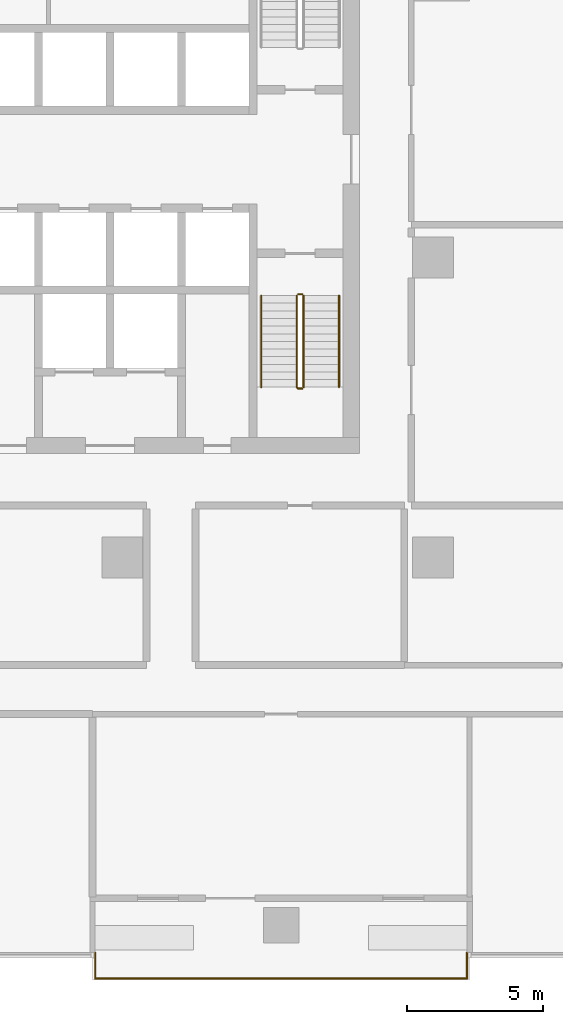
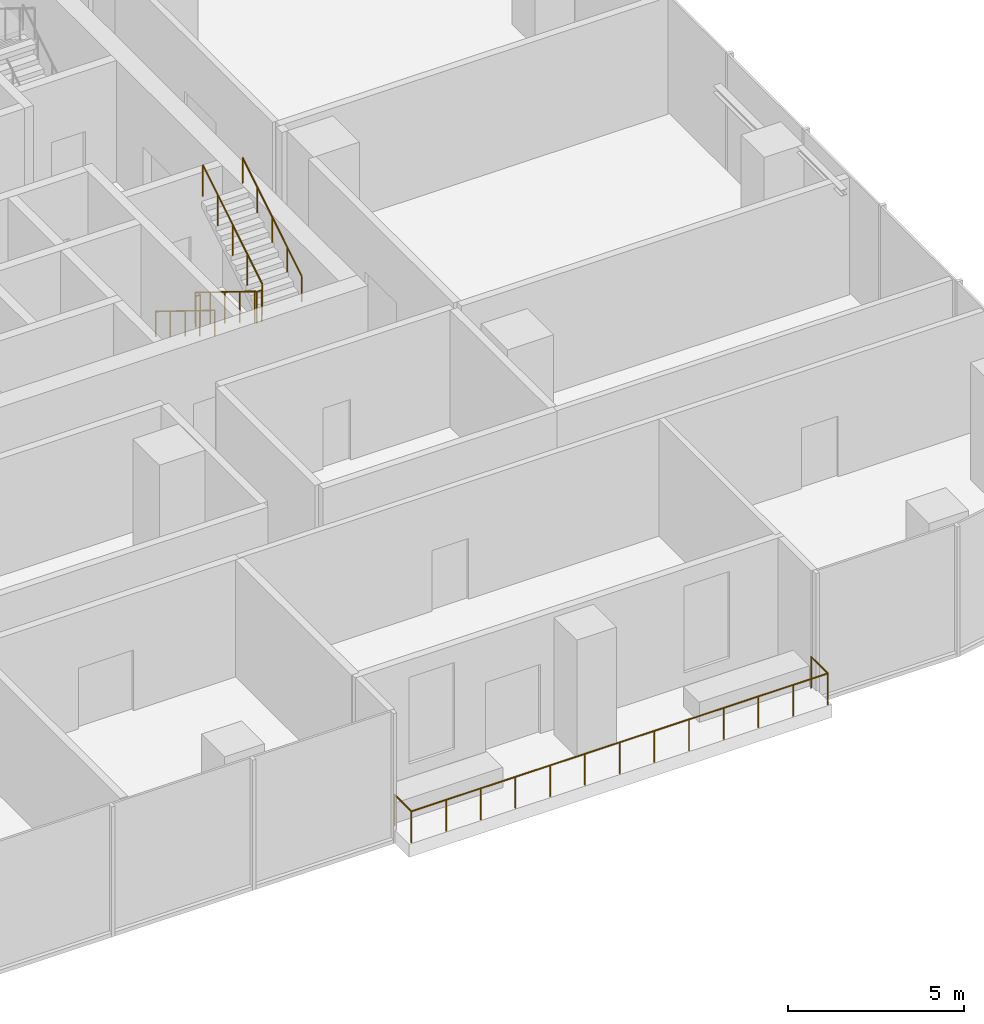
# One storey, part 13 of 15: 6 railings.
"""IFC4 building model written with IfcOpenShell, lengths in metres."""

from ifc_helpers import new_model, si_unit, direction, frame, origin, origin_2d, place, context, subcontext, project, spatial, circle, extrude, material, type_object, element, save


model = new_model("IFC4")

# Units and contexts
model_context = context("Model", 3, precision=1e-05, world=origin(), true_north=direction((0.0, 1.0)))
body_context = subcontext(model_context, "Body", "Model", "MODEL_VIEW")
ifc_project = project(units=[si_unit("LENGTHUNIT", "METRE"), si_unit("AREAUNIT", "SQUARE_METRE"), si_unit("VOLUMEUNIT", "CUBIC_METRE"), si_unit("PLANEANGLEUNIT", "RADIAN"), si_unit("MASSUNIT", "GRAM", prefix="KILO")], contexts=[model_context])

# Site, building, storey
site_placement = place(None, origin())
site = spatial("IfcSite", under=ifc_project, at=site_placement, CompositionType="ELEMENT")
building_placement = place(site_placement, origin())
building = spatial("IfcBuilding", under=site, at=building_placement, Name="Mopane Tessera Tower", CompositionType="ELEMENT")
storey_placement = place(building_placement, frame((0.0, 0.0, 117.10009765625)))
storey = spatial("IfcBuildingStorey", under=building, at=storey_placement, Name="L23", CompositionType="ELEMENT", Elevation=117.10009765625)

# Railings
ifc_material_1 = material(Name="Powder-coated steel balustrade", Category="steel")
railing_type_1 = type_object("IfcRailingType", Name="Escape stair guard 1100 mm", PredefinedType="GUARDRAIL", material=ifc_material_1)
railing_1_placement = place(storey_placement, frame((12.10009765625, -1.39990234375, 0.173095703125)))
element("IfcRailing", 1, at=railing_1_placement, inside=storey, type_object=railing_type_1, Name="L23 ST3 stair guard 1", PredefinedType="GUARDRAIL", context=body_context, shape_type="SweptSolid", body=[
    extrude(circle(Radius=0.02392578125, at=origin_2d()), frame((0.0, 0.0, 1.076171875), z_axis=(0.0, -0.850623216509, 0.525775754039), x_axis=(1.0, 0.0, 0.0)), (0.0, 0.0, 1.0), 3.9501953125),
    extrude(circle(Radius=0.02392578125, at=origin_2d()), frame((0.0, -3.360107421875, 3.15283203125), z_axis=(0.705375805398, -0.708833529934, 0.0), x_axis=(0.708833529934, 0.705375805398, 0.0)), (0.0, 0.0, 1.0), 0.070556640625),
    extrude(circle(Radius=0.02392578125, at=origin_2d()), frame((0.0498046875, -3.41015625, 3.15283203125), z_axis=(1.0, 0.0, 0.0), x_axis=(0.0, 1.0, 0.0)), (0.0, 0.0, 1.0), 0.150146484375),
    extrude(circle(Radius=0.02099609375, at=origin_2d()), origin(), (0.0, 0.0, 1.0), 1.052001953125),
    extrude(circle(Radius=0.02099609375, at=origin_2d()), frame((0.0, -0.840087890625, 0.519287109375)), (0.0, 0.0, 1.0), 1.052001953125),
    extrude(circle(Radius=0.02099609375, at=origin_2d()), frame((0.0, -1.68017578125, 1.03857421875)), (0.0, 0.0, 1.0), 1.052001953125),
    extrude(circle(Radius=0.02099609375, at=origin_2d()), frame((0.0, -2.52001953125, 1.5576171875)), (0.0, 0.0, 1.0), 1.052001953125),
    extrude(circle(Radius=0.02099609375, at=origin_2d()), frame((0.0, -3.360107421875, 2.076904296875)), (0.0, 0.0, 1.0), 1.052001953125),
    extrude(circle(Radius=0.02099609375, at=origin_2d()), frame((0.0498046875, -3.41015625, 2.076904296875)), (0.0, 0.0, 1.0), 1.052001953125),
    extrude(circle(Radius=0.02099609375, at=origin_2d()), frame((0.199951171875, -3.41015625, 2.076904296875)), (0.0, 0.0, 1.0), 1.052001953125),
])
railing_2_placement = place(storey_placement, frame((12.35009765625, -4.760009765625, 2.423095703125)))
element("IfcRailing", 2, at=railing_2_placement, inside=storey, type_object=railing_type_1, Name="L23 ST3 stair guard 2", PredefinedType="GUARDRAIL", context=body_context, shape_type="SweptSolid", body=[
    extrude(circle(Radius=0.02392578125, at=origin_2d()), frame((0.0, 0.0, 1.076171875), z_axis=(0.0, 0.850623216509, 0.525775754039), x_axis=(-1.0, 0.0, 0.0)), (0.0, 0.0, 1.0), 3.9501953125),
    extrude(circle(Radius=0.02099609375, at=origin_2d()), origin(), (0.0, 0.0, 1.0), 1.052001953125),
    extrude(circle(Radius=0.02099609375, at=origin_2d()), frame((0.0, 0.840087890625, 0.519287109375)), (0.0, 0.0, 1.0), 1.052001953125),
    extrude(circle(Radius=0.02099609375, at=origin_2d()), frame((0.0, 1.68017578125, 1.03857421875)), (0.0, 0.0, 1.0), 1.052001953125),
    extrude(circle(Radius=0.02099609375, at=origin_2d()), frame((0.0, 2.52001953125, 1.5576171875)), (0.0, 0.0, 1.0), 1.052001953125),
    extrude(circle(Radius=0.02099609375, at=origin_2d()), frame((0.0, 3.360107421875, 2.076904296875)), (0.0, 0.0, 1.0), 1.052001953125),
])
railing_3_placement = place(storey_placement, frame((12.14990234375, -1.35009765625, 0.0)))
element("IfcRailing", 3, at=railing_3_placement, inside=storey, type_object=railing_type_1, Name="L23 ST3 stair guard 3", PredefinedType="GUARDRAIL", context=body_context, shape_type="SweptSolid", body=[
    extrude(circle(Radius=0.02392578125, at=origin_2d()), frame((0.0, 0.0, 1.076171875), z_axis=(1.0, 0.0, 0.0), x_axis=(0.0, 1.0, 0.0)), (0.0, 0.0, 1.0), 0.150146484375),
    extrude(circle(Radius=0.02099609375, at=origin_2d()), origin(), (0.0, 0.0, 1.0), 1.052001953125),
    extrude(circle(Radius=0.02099609375, at=origin_2d()), frame((0.150146484375, 0.0, 0.0)), (0.0, 0.0, 1.0), 1.052001953125),
])
ifc_material_2 = material(Name="Powder-coated steel balustrade", Category="steel")
railing_type_2 = type_object("IfcRailingType", Name="Escape stair handrail 900 mm", PredefinedType="HANDRAIL", material=ifc_material_2)
railing_4_placement = place(storey_placement, frame((10.800048828125, -1.39990234375, 0.173095703125)))
element("IfcRailing", 4, at=railing_4_placement, inside=storey, type_object=railing_type_2, Name="L23 ST3 stair handrail 1", PredefinedType="HANDRAIL", context=body_context, shape_type="SweptSolid", body=[
    extrude(circle(Radius=0.02392578125, at=origin_2d()), frame((0.0, 0.0, 0.8759765625), z_axis=(0.0, -0.850623216509, 0.525775754039), x_axis=(1.0, 0.0, 0.0)), (0.0, 0.0, 1.0), 3.9501953125),
    extrude(circle(Radius=0.02099609375, at=origin_2d()), origin(), (0.0, 0.0, 1.0), 0.851806640625),
    extrude(circle(Radius=0.02099609375, at=origin_2d()), frame((0.0, -0.840087890625, 0.519287109375)), (0.0, 0.0, 1.0), 0.851806640625),
    extrude(circle(Radius=0.02099609375, at=origin_2d()), frame((0.0, -1.68017578125, 1.03857421875)), (0.0, 0.0, 1.0), 0.851806640625),
    extrude(circle(Radius=0.02099609375, at=origin_2d()), frame((0.0, -2.52001953125, 1.5576171875)), (0.0, 0.0, 1.0), 0.851806640625),
    extrude(circle(Radius=0.02099609375, at=origin_2d()), frame((0.0, -3.360107421875, 2.076904296875)), (0.0, 0.0, 1.0), 0.851806640625),
])
railing_5_placement = place(storey_placement, frame((13.64990234375, -4.760009765625, 2.423095703125)))
element("IfcRailing", 5, at=railing_5_placement, inside=storey, type_object=railing_type_2, Name="L23 ST3 stair handrail 2", PredefinedType="HANDRAIL", context=body_context, shape_type="SweptSolid", body=[
    extrude(circle(Radius=0.02392578125, at=origin_2d()), frame((0.0, 0.0, 0.8759765625), z_axis=(0.0, 0.850623216509, 0.525775754039), x_axis=(-1.0, 0.0, 0.0)), (0.0, 0.0, 1.0), 3.9501953125),
    extrude(circle(Radius=0.02099609375, at=origin_2d()), origin(), (0.0, 0.0, 1.0), 0.851806640625),
    extrude(circle(Radius=0.02099609375, at=origin_2d()), frame((0.0, 0.840087890625, 0.519287109375)), (0.0, 0.0, 1.0), 0.851806640625),
    extrude(circle(Radius=0.02099609375, at=origin_2d()), frame((0.0, 1.68017578125, 1.03857421875)), (0.0, 0.0, 1.0), 0.851806640625),
    extrude(circle(Radius=0.02099609375, at=origin_2d()), frame((0.0, 2.52001953125, 1.5576171875)), (0.0, 0.0, 1.0), 0.851806640625),
    extrude(circle(Radius=0.02099609375, at=origin_2d()), frame((0.0, 3.360107421875, 2.076904296875)), (0.0, 0.0, 1.0), 0.851806640625),
])
ifc_material_3 = material(Name="Stainless steel S316", Category="steel")
railing_type_3 = type_object("IfcRailingType", Name="Terrace guard 1100", PredefinedType="GUARDRAIL", material=ifc_material_3)
railing_6_placement = place(storey_placement, frame((4.7099609375, -25.5, 0.0)))
element("IfcRailing", 6, at=railing_6_placement, inside=storey, type_object=railing_type_3, Name="e:nw:L23:N3:guard", PredefinedType="GUARDRAIL", context=body_context, shape_type="SweptSolid", body=[
    extrude(circle(Radius=0.02392578125, at=origin_2d()), frame((0.0, 0.0, 1.076171875), z_axis=(0.0, -1.0, 0.0), x_axis=(1.0, 0.0, 0.0)), (0.0, 0.0, 1.0), 0.949951171875),
    extrude(circle(Radius=0.02392578125, at=origin_2d()), frame((0.0, -0.949951171875, 1.076171875), z_axis=(1.0, 0.0, 0.0), x_axis=(0.0, 1.0, 0.0)), (0.0, 0.0, 1.0), 13.630126953125),
    extrude(circle(Radius=0.02392578125, at=origin_2d()), frame((13.630126953125, -0.949951171875, 1.076171875), z_axis=(0.0, 1.0, 0.0), x_axis=(-1.0, 0.0, 0.0)), (0.0, 0.0, 1.0), 0.949951171875),
    extrude(circle(Radius=0.02099609375, at=origin_2d()), origin(), (0.0, 0.0, 1.0), 1.052001953125),
    extrude(circle(Radius=0.02099609375, at=origin_2d()), frame((0.0, -0.949951171875, 0.0)), (0.0, 0.0, 1.0), 1.052001953125),
    extrude(circle(Radius=0.02099609375, at=origin_2d()), frame((1.1357421875, -0.949951171875, 0.0)), (0.0, 0.0, 1.0), 1.052001953125),
    extrude(circle(Radius=0.02099609375, at=origin_2d()), frame((2.271728515625, -0.949951171875, 0.0)), (0.0, 0.0, 1.0), 1.052001953125),
    extrude(circle(Radius=0.02099609375, at=origin_2d()), frame((3.407470703125, -0.949951171875, 0.0)), (0.0, 0.0, 1.0), 1.052001953125),
    extrude(circle(Radius=0.02099609375, at=origin_2d()), frame((4.54345703125, -0.949951171875, 0.0)), (0.0, 0.0, 1.0), 1.052001953125),
    extrude(circle(Radius=0.02099609375, at=origin_2d()), frame((5.67919921875, -0.949951171875, 0.0)), (0.0, 0.0, 1.0), 1.052001953125),
    extrude(circle(Radius=0.02099609375, at=origin_2d()), frame((6.81494140625, -0.949951171875, 0.0)), (0.0, 0.0, 1.0), 1.052001953125),
    extrude(circle(Radius=0.02099609375, at=origin_2d()), frame((7.950927734375, -0.949951171875, 0.0)), (0.0, 0.0, 1.0), 1.052001953125),
    extrude(circle(Radius=0.02099609375, at=origin_2d()), frame((9.086669921875, -0.949951171875, 0.0)), (0.0, 0.0, 1.0), 1.052001953125),
    extrude(circle(Radius=0.02099609375, at=origin_2d()), frame((10.22265625, -0.949951171875, 0.0)), (0.0, 0.0, 1.0), 1.052001953125),
    extrude(circle(Radius=0.02099609375, at=origin_2d()), frame((11.3583984375, -0.949951171875, 0.0)), (0.0, 0.0, 1.0), 1.052001953125),
    extrude(circle(Radius=0.02099609375, at=origin_2d()), frame((12.494384765625, -0.949951171875, 0.0)), (0.0, 0.0, 1.0), 1.052001953125),
    extrude(circle(Radius=0.02099609375, at=origin_2d()), frame((13.630126953125, -0.949951171875, 0.0)), (0.0, 0.0, 1.0), 1.052001953125),
    extrude(circle(Radius=0.02099609375, at=origin_2d()), frame((13.630126953125, 0.0, 0.0)), (0.0, 0.0, 1.0), 1.052001953125),
])

save(model, "model.ifc")
